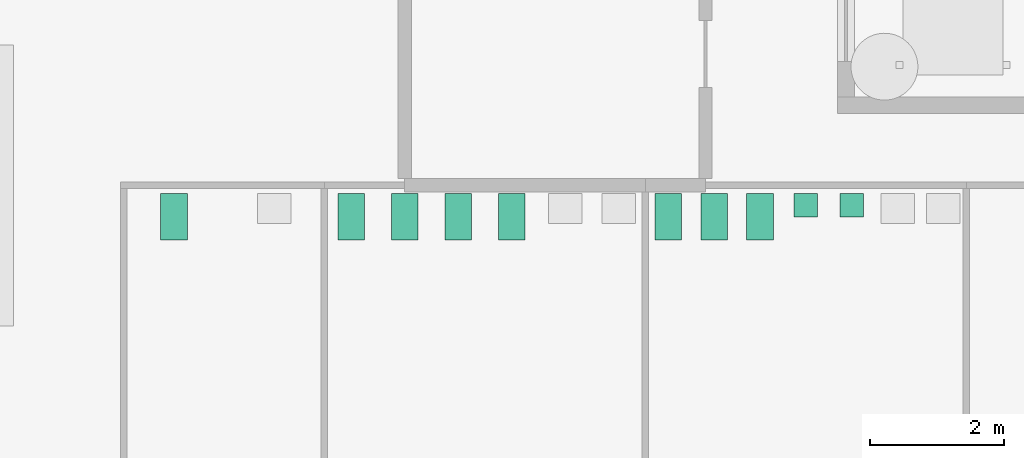
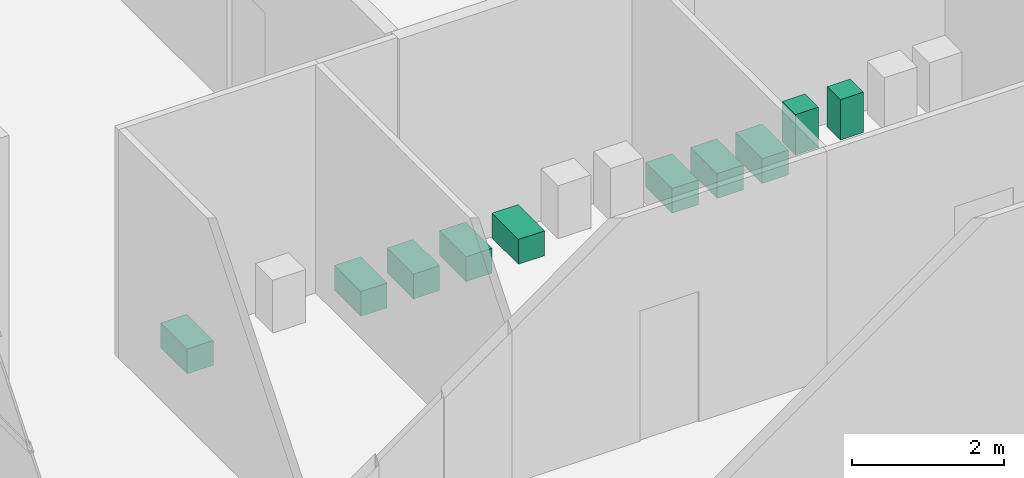
# One storey, part 98 of 99: 10 sanitary terminals.
"""IFC4 building model written with IfcOpenShell, lengths in metres."""

from ifc_helpers import new_model, si_unit, direction, frame, origin, origin_2d, place, context, subcontext, project, spatial, rectangle, extrude, material, type_object, element, save


model = new_model("IFC4")

# Units and contexts
model_context = context("Model", 3, precision=1e-05, world=origin(), true_north=direction((0.0, 1.0)))
body_context = subcontext(model_context, "Body", "Model", "MODEL_VIEW")
ifc_project = project(units=[si_unit("LENGTHUNIT", "METRE"), si_unit("AREAUNIT", "SQUARE_METRE"), si_unit("VOLUMEUNIT", "CUBIC_METRE"), si_unit("PLANEANGLEUNIT", "RADIAN"), si_unit("MASSUNIT", "GRAM", prefix="KILO")], contexts=[model_context])

# Site, building, storey
site_placement = place(None, origin())
site = spatial("IfcSite", under=ifc_project, at=site_placement, CompositionType="ELEMENT")
building_placement = place(site_placement, origin())
building = spatial("IfcBuilding", under=site, at=building_placement, Name="Cour d'Honneur Mobility Palace", CompositionType="ELEMENT")
storey_placement = place(building_placement, origin())
storey = spatial("IfcBuildingStorey", under=building, at=storey_placement, Name="L00", CompositionType="ELEMENT", Elevation=0.0)

# Sanitary terminals
ifc_material_1 = material(Name="Vitreous china")
sanitary_terminal_type_1 = type_object("IfcSanitaryTerminalType", Name="Urinal", PredefinedType="URINAL", material=ifc_material_1)
for number, where, z_axis, x_axis, name in (
    (1, (157.5, 107.10498046875, 0.0), (0.0, 0.0, 1.0), (1.0, 0.0, 0.0), "Urinal WC Men East"),
    (2, (158.185791015625, 107.10498046875, 0.0), (0.0, 0.0, 1.0), (1.0, 0.0, 0.0), "Urinal WC Men East"),
):
    element("IfcSanitaryTerminal", number, at=place(storey_placement, frame(where, z_axis=z_axis, x_axis=x_axis)), inside=storey, type_object=sanitary_terminal_type_1, Name=name, PredefinedType="URINAL", context=body_context, shape_type="SweptSolid", body=[
        extrude(rectangle(XDim=0.35009765625, YDim=0.35009765625, at=origin_2d()), origin(), (0.0, 0.0, 1.0), 0.64990234375),
    ])
ifc_material_2 = material(Name="Vitreous china")
sanitary_terminal_type_2 = type_object("IfcSanitaryTerminalType", Name="Water closet", PredefinedType="WCSEAT", material=ifc_material_2)
for number, where, z_axis, x_axis, name in (
    (3, (155.44287109375, 106.929931640625, 0.0), (0.0, 0.0, 1.0), (1.0, 0.0, 0.0), "Water closet WC Men East"),
    (4, (156.128662109375, 106.929931640625, 0.0), (0.0, 0.0, 1.0), (1.0, 0.0, 0.0), "Water closet WC Men East"),
    (5, (156.814208984375, 106.929931640625, 0.0), (0.0, 0.0, 1.0), (1.0, 0.0, 0.0), "Water closet WC Men East"),
    (6, (150.699951171875, 106.929931640625, 0.0), (0.0, 0.0, 1.0), (1.0, 0.0, 0.0), "Water closet WC Women East"),
    (7, (151.5, 106.929931640625, 0.0), (0.0, 0.0, 1.0), (1.0, 0.0, 0.0), "Water closet WC Women East"),
    (8, (152.300048828125, 106.929931640625, 0.0), (0.0, 0.0, 1.0), (1.0, 0.0, 0.0), "Water closet WC Women East"),
    (9, (153.10009765625, 106.929931640625, 0.0), (0.0, 0.0, 1.0), (1.0, 0.0, 0.0), "Water closet WC Women East"),
    (10, (148.050048828125, 106.929931640625, 0.0), (0.0, 0.0, 1.0), (1.0, 0.0, 0.0), "Water closet Accessible WC East"),
):
    element("IfcSanitaryTerminal", number, at=place(storey_placement, frame(where, z_axis=z_axis, x_axis=x_axis)), inside=storey, type_object=sanitary_terminal_type_2, Name=name, PredefinedType="WCSEAT", context=body_context, shape_type="SweptSolid", body=[
        extrude(rectangle(XDim=0.39990234375, YDim=0.699951171875, at=origin_2d()), origin(), (0.0, 0.0, 1.0), 0.39990234375),
    ])

save(model, "model.ifc")
